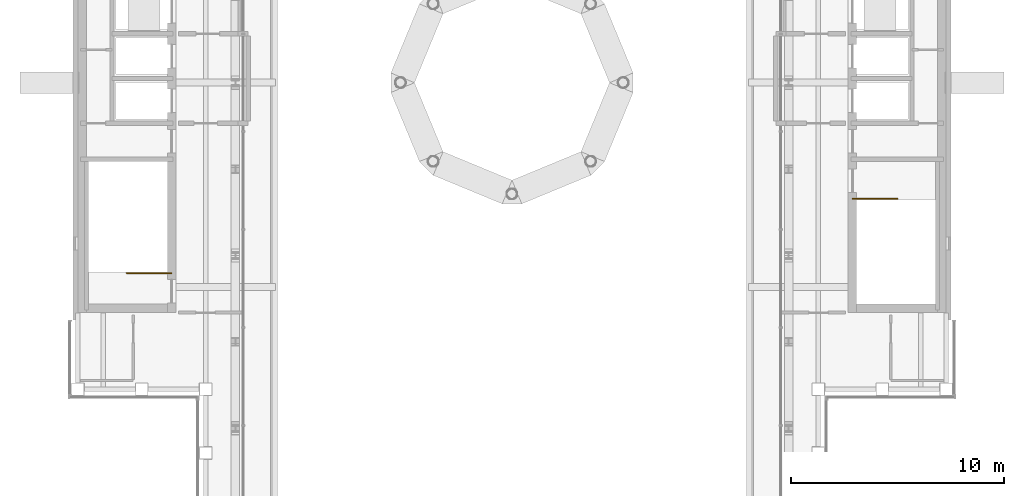
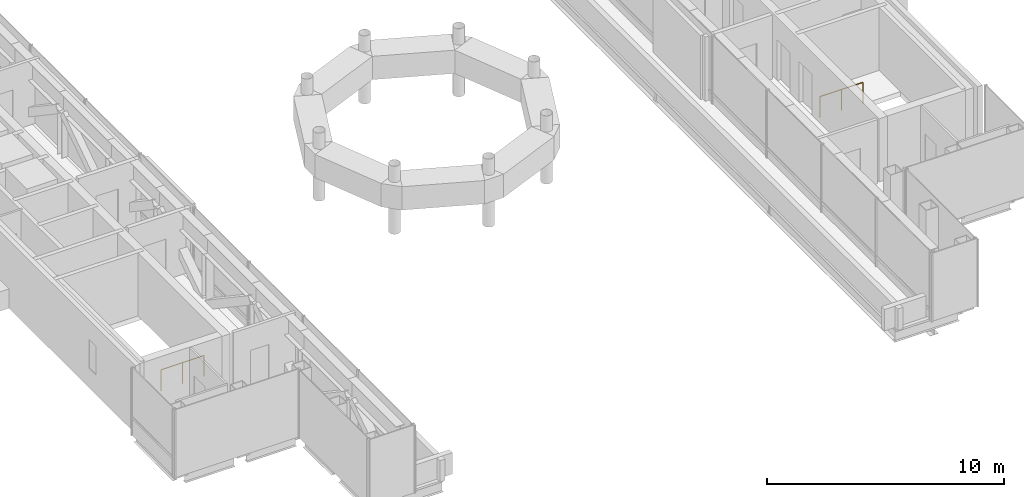
# One storey, part 15 of 16: 2 railings.
"""IFC4 building model written with IfcOpenShell, lengths in metres."""

from ifc_helpers import new_model, si_unit, direction, frame, origin, origin_2d, place, context, subcontext, project, spatial, circle, extrude, material, type_object, element, save


model = new_model("IFC4")

# Units and contexts
model_context = context("Model", 3, precision=1e-05, world=origin(), true_north=direction((0.0, 1.0)))
body_context = subcontext(model_context, "Body", "Model", "MODEL_VIEW")
ifc_project = project(units=[si_unit("LENGTHUNIT", "METRE"), si_unit("AREAUNIT", "SQUARE_METRE"), si_unit("VOLUMEUNIT", "CUBIC_METRE"), si_unit("PLANEANGLEUNIT", "RADIAN"), si_unit("MASSUNIT", "GRAM", prefix="KILO")], contexts=[model_context])

# Site, building, storey
site_placement = place(None, origin())
site = spatial("IfcSite", under=ifc_project, at=site_placement, CompositionType="ELEMENT")
building_placement = place(site_placement, origin())
building = spatial("IfcBuilding", under=site, at=building_placement, Name="Cobrizo Arcos Hotel Tower", CompositionType="ELEMENT")
storey_placement = place(building_placement, frame((0.0, 0.0, 286.5)))
storey = spatial("IfcBuildingStorey", under=building, at=storey_placement, Name="L76", CompositionType="ELEMENT", Elevation=286.5)

# Railings
ifc_material = material(Name="Stainless steel railing", Category="steel")
railing_type = type_object("IfcRailingType", Name="Stair guard 1100", PredefinedType="GUARDRAIL", material=ifc_material)
railing_1_placement = place(storey_placement, frame((-16.0, -8.949951171875, 0.0)))
element("IfcRailing", 1, at=railing_1_placement, inside=storey, type_object=railing_type, Name="L76 ST-W top well guard 1", PredefinedType="GUARDRAIL", context=body_context, shape_type="SweptSolid", body=[
    extrude(circle(Radius=0.02392578125, at=origin_2d()), frame((0.0, 0.0, 1.076171875), z_axis=(-1.0, 0.0, 0.0), x_axis=(0.0, -1.0, 0.0)), (0.0, 0.0, 1.0), 2.10009765625),
    extrude(circle(Radius=0.02099609375, at=origin_2d()), origin(), (0.0, 0.0, 1.0), 1.052001953125),
    extrude(circle(Radius=0.02099609375, at=origin_2d()), frame((-1.050048828125, 0.0, 0.0)), (0.0, 0.0, 1.0), 1.052001953125),
    extrude(circle(Radius=0.02099609375, at=origin_2d()), frame((-2.10009765625, 0.0, 0.0)), (0.0, 0.0, 1.0), 1.052001953125),
])
railing_2_placement = place(storey_placement, frame((16.0, -5.449951171875, 0.0)))
element("IfcRailing", 2, at=railing_2_placement, inside=storey, type_object=railing_type, Name="L76 ST-E top well guard 1", PredefinedType="GUARDRAIL", context=body_context, shape_type="SweptSolid", body=[
    extrude(circle(Radius=0.02392578125, at=origin_2d()), frame((0.0, 0.0, 1.076171875), z_axis=(1.0, 0.0, 0.0), x_axis=(0.0, 1.0, 0.0)), (0.0, 0.0, 1.0), 2.10009765625),
    extrude(circle(Radius=0.02099609375, at=origin_2d()), origin(), (0.0, 0.0, 1.0), 1.052001953125),
    extrude(circle(Radius=0.02099609375, at=origin_2d()), frame((1.050048828125, 0.0, 0.0)), (0.0, 0.0, 1.0), 1.052001953125),
    extrude(circle(Radius=0.02099609375, at=origin_2d()), frame((2.10009765625, 0.0, 0.0)), (0.0, 0.0, 1.0), 1.052001953125),
])

save(model, "model.ifc")
